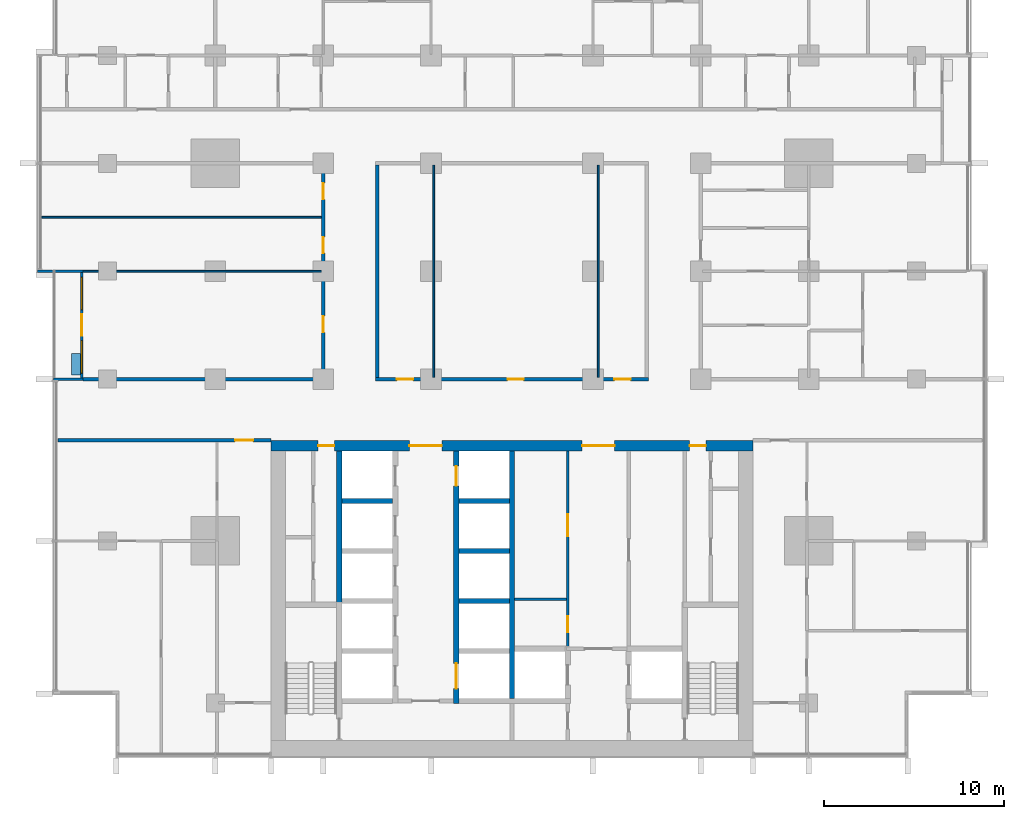
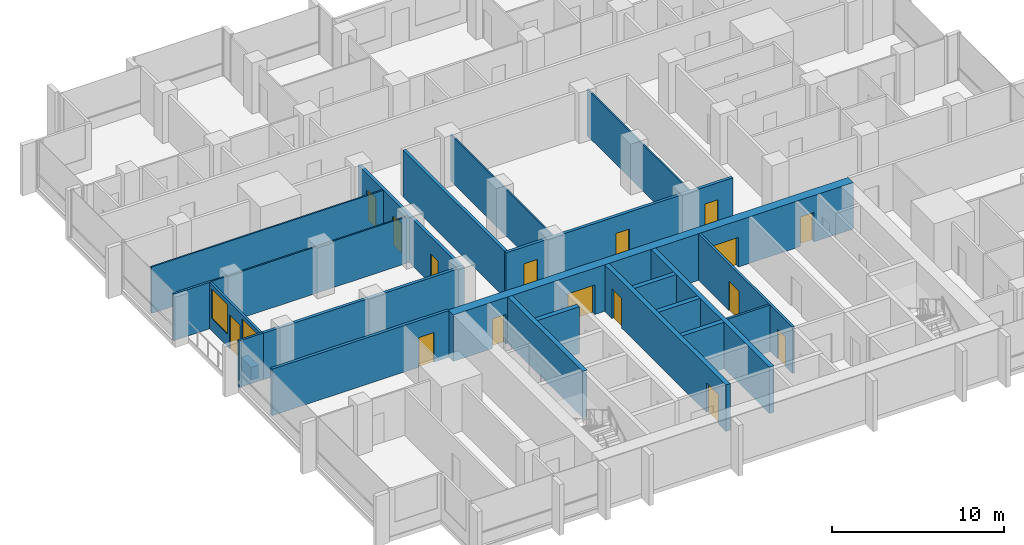
# One storey, part 8 of 17: 23 walls, 16 doors, 2 windows, 18 openings.
"""IFC4 building model written with IfcOpenShell, lengths in metres."""

from ifc_helpers import new_model, si_unit, direction, frame, frame_2d, origin, place, context, subcontext, project, spatial, rectangle, extrude, material, layer, layer_set, type_object, element, fill, save


model = new_model("IFC4")

# Units and contexts
model_context = context("Model", 3, precision=1e-05, world=origin(), true_north=direction((0.0, 1.0)))
body_context = subcontext(model_context, "Body", "Model", "MODEL_VIEW")
ifc_project = project(units=[si_unit("LENGTHUNIT", "METRE"), si_unit("AREAUNIT", "SQUARE_METRE"), si_unit("VOLUMEUNIT", "CUBIC_METRE"), si_unit("PLANEANGLEUNIT", "RADIAN"), si_unit("MASSUNIT", "GRAM", prefix="KILO")], contexts=[model_context])

# Site, building, storey
site_placement = place(None, origin())
site = spatial("IfcSite", under=ifc_project, at=site_placement, CompositionType="ELEMENT")
building_placement = place(site_placement, origin())
building = spatial("IfcBuilding", under=site, at=building_placement, Name="Finial Court Residences", CompositionType="ELEMENT")
storey_placement = place(building_placement, frame((0.0, 0.0, 91.89990234375)))
storey = spatial("IfcBuildingStorey", under=building, at=storey_placement, Name="L22", CompositionType="ELEMENT", Elevation=91.89990234375)

# Wall, openings, doors
ifc_material_1 = material(Name="Concrete C70/85", Category="concrete")
ifc_layer_1 = layer(ifc_material_1, 0.60009765625)
ifc_layer_set_1 = layer_set([ifc_layer_1], Name="Core outer wall 600 Concrete C70/85")
wall_type_1 = type_object("IfcWallType", Name="Core outer wall 600 Concrete C70/85", PredefinedType="SHEAR", material=ifc_layer_set_1)
wall_1_placement = place(storey_placement, frame((-13.39990234375, -8.199951171875, 0.0), z_axis=(0.0, 0.0, 1.0), x_axis=(1.0, 0.0, 0.0)))
wall_1 = element("IfcWall", 1, at=wall_1_placement, inside=storey, type_object=wall_type_1, Name="Core outer wall L22-02", PredefinedType="SHEAR", context=body_context, shape_type="SweptSolid", body=[
    extrude(rectangle(XDim=26.7998046875, YDim=0.60009765625, at=frame_2d((13.39990234375, 0.0))), origin(), (0.0, 0.0, 1.0), 3.300048828125),
])
opening_1_placement = place(wall_1_placement, frame((7.699951171875, 0.0, 0.0)))
opening_1 = element("IfcOpeningElement", 2, at=opening_1_placement, cuts=wall_1, Name="Opening L22-C04", PredefinedType="OPENING", context=body_context, shape_type="SweptSolid", body=[
    extrude(rectangle(XDim=1.800048828125, YDim=2.10009765625, at=frame_2d((0.89990234375, 1.050048828125))), frame((0.0, 0.31005859375, 0.0), z_axis=(0.0, -1.0, 0.0), x_axis=(1.0, 0.0, 0.0)), (0.0, 0.0, 1.0), 0.6201171875),
])
opening_2_placement = place(wall_1_placement, frame((17.300048828125, 0.0, 0.0)))
opening_2 = element("IfcOpeningElement", 3, at=opening_2_placement, cuts=wall_1, Name="Opening L22-C05", PredefinedType="OPENING", context=body_context, shape_type="SweptSolid", body=[
    extrude(rectangle(XDim=1.800048828125, YDim=2.10009765625, at=frame_2d((0.89990234375, 1.050048828125))), frame((0.0, 0.31005859375, 0.0), z_axis=(0.0, -1.0, 0.0), x_axis=(1.0, 0.0, 0.0)), (0.0, 0.0, 1.0), 0.6201171875),
])
opening_3_placement = place(wall_1_placement, frame((2.625, 0.0, 0.0)))
opening_3 = element("IfcOpeningElement", 4, at=opening_3_placement, cuts=wall_1, Name="Opening L22-C10", PredefinedType="OPENING", context=body_context, shape_type="SweptSolid", body=[
    extrude(rectangle(XDim=0.89990234375, YDim=2.10009765625, at=frame_2d((0.449951171875, 1.050048828125))), frame((0.0, 0.31005859375, 0.0), z_axis=(0.0, -1.0, 0.0), x_axis=(1.0, 0.0, 0.0)), (0.0, 0.0, 1.0), 0.6201171875),
])
opening_4_placement = place(wall_1_placement, frame((23.27490234375, 0.0, 0.0)))
opening_4 = element("IfcOpeningElement", 5, at=opening_4_placement, cuts=wall_1, Name="Opening L22-C11", PredefinedType="OPENING", context=body_context, shape_type="SweptSolid", body=[
    extrude(rectangle(XDim=0.89990234375, YDim=2.10009765625, at=frame_2d((0.449951171875, 1.050048828125))), frame((0.0, 0.31005859375, 0.0), z_axis=(0.0, -1.0, 0.0), x_axis=(1.0, 0.0, 0.0)), (0.0, 0.0, 1.0), 0.6201171875),
])
ifc_material_2 = material(Name="Steel fire door", Category="steel")
door_type_1 = type_object("IfcDoorType", Name="Lift lobby door 1800 x 2100 EI 60", OperationType="DOUBLE_DOOR_SINGLE_SWING", PredefinedType="DOOR", material=ifc_material_2)
door_1_placement = place(opening_1_placement, origin())
door_1 = element("IfcDoor", 6, at=door_1_placement, inside=storey, type_object=door_type_1, Name="Lift lobby door L22-C04", OperationType="DOUBLE_DOOR_SINGLE_SWING", OverallHeight=2.10009765625, OverallWidth=1.800048828125, PredefinedType="DOOR", context=body_context, shape_type="SweptSolid", body=[
    extrude(rectangle(XDim=1.800048828125, YDim=2.10009765625, at=frame_2d((0.89990234375, 1.050048828125))), frame((0.0, 0.02490234375, 0.0), z_axis=(0.0, -1.0, 0.0), x_axis=(1.0, 0.0, 0.0)), (0.0, 0.0, 1.0), 0.050048828125),
])
fill(opening_1, door_1)
door_2_placement = place(opening_2_placement, origin())
door_2 = element("IfcDoor", 7, at=door_2_placement, inside=storey, type_object=door_type_1, Name="Lift lobby door L22-C05", OperationType="DOUBLE_DOOR_SINGLE_SWING", OverallHeight=2.10009765625, OverallWidth=1.800048828125, PredefinedType="DOOR", context=body_context, shape_type="SweptSolid", body=[
    extrude(rectangle(XDim=1.800048828125, YDim=2.10009765625, at=frame_2d((0.89990234375, 1.050048828125))), frame((0.0, 0.02490234375, 0.0), z_axis=(0.0, -1.0, 0.0), x_axis=(1.0, 0.0, 0.0)), (0.0, 0.0, 1.0), 0.050048828125),
])
fill(opening_2, door_2)
door_type_2 = type_object("IfcDoorType", Name="Riser room door 900 x 2100 EI 90", OperationType="NOTDEFINED", PredefinedType="DOOR", material=ifc_material_2)
door_3_placement = place(opening_3_placement, origin())
door_3 = element("IfcDoor", 8, at=door_3_placement, inside=storey, type_object=door_type_2, Name="Riser room door L22-C10", OperationType="SINGLE_SWING_RIGHT", OverallHeight=2.10009765625, OverallWidth=0.89990234375, PredefinedType="DOOR", context=body_context, shape_type="SweptSolid", body=[
    extrude(rectangle(XDim=0.89990234375, YDim=2.10009765625, at=frame_2d((0.449951171875, 1.050048828125))), frame((0.0, 0.02490234375, 0.0), z_axis=(0.0, -1.0, 0.0), x_axis=(1.0, 0.0, 0.0)), (0.0, 0.0, 1.0), 0.050048828125),
])
fill(opening_3, door_3)
door_4_placement = place(opening_4_placement, origin())
door_4 = element("IfcDoor", 9, at=door_4_placement, inside=storey, type_object=door_type_2, Name="Riser room door L22-C11", OperationType="SINGLE_SWING_LEFT", OverallHeight=2.10009765625, OverallWidth=0.89990234375, PredefinedType="DOOR", context=body_context, shape_type="SweptSolid", body=[
    extrude(rectangle(XDim=0.89990234375, YDim=2.10009765625, at=frame_2d((0.449951171875, 1.050048828125))), frame((0.0, 0.02490234375, 0.0), z_axis=(0.0, -1.0, 0.0), x_axis=(1.0, 0.0, 0.0)), (0.0, 0.0, 1.0), 0.050048828125),
])
fill(opening_4, door_4)

# Wall
ifc_material_3 = material(Name="Fire-rated gypsum board partition")
ifc_layer_2 = layer(ifc_material_3, 0.14990234375)
ifc_layer_set_2 = layer_set([ifc_layer_2], Name="Core room partition 150 EI 60")
wall_type_2 = type_object("IfcWallType", Name="Core room partition 150 EI 60", PredefinedType="PARTITIONING", material=ifc_layer_set_2)
wall_2_placement = place(storey_placement, frame((0.14990234375, -16.75, 0.0), z_axis=(0.0, 0.0, 1.0), x_axis=(1.0, 0.0, 0.0)))
element("IfcWall", 10, at=wall_2_placement, inside=storey, type_object=wall_type_2, Name="Core partition L22-14", PredefinedType="PARTITIONING", context=body_context, shape_type="SweptSolid", body=[
    extrude(rectangle(XDim=2.875, YDim=0.14990234375, at=frame_2d((1.4375, 0.0))), origin(), (0.0, 0.0, 1.0), 3.300048828125),
])

# Wall, openings, doors
wall_3_placement = place(storey_placement, frame((3.10009765625, -19.39990234375, 0.0), z_axis=(0.0, 0.0, 1.0), x_axis=(0.0, 1.0, 0.0)))
wall_3 = element("IfcWall", 11, at=wall_3_placement, inside=storey, type_object=wall_type_2, Name="Core partition L22-31", PredefinedType="PARTITIONING", context=body_context, shape_type="SweptSolid", body=[
    extrude(rectangle(XDim=10.89990234375, YDim=0.14990234375, at=frame_2d((5.449951171875, 0.0))), origin(), (0.0, 0.0, 1.0), 3.300048828125),
])
opening_5_placement = place(wall_3_placement, frame((0.824951171875, 0.0, 0.0)))
opening_5 = element("IfcOpeningElement", 12, at=opening_5_placement, cuts=wall_3, Name="Opening L22-C14", PredefinedType="OPENING", context=body_context, shape_type="SweptSolid", body=[
    extrude(rectangle(XDim=0.89990234375, YDim=2.10009765625, at=frame_2d((0.449951171875, 1.050048828125))), frame((0.0, 0.0849609375, 0.0), z_axis=(0.0, -1.0, 0.0), x_axis=(1.0, 0.0, 0.0)), (0.0, 0.0, 1.0), 0.169921875),
])
opening_6_placement = place(wall_3_placement, frame((6.175048828125, 0.0, 0.0)))
opening_6 = element("IfcOpeningElement", 13, at=opening_6_placement, cuts=wall_3, Name="Opening L22-C15", PredefinedType="OPENING", context=body_context, shape_type="SweptSolid", body=[
    extrude(rectangle(XDim=1.199951171875, YDim=2.10009765625, at=frame_2d((0.60009765625, 1.050048828125))), frame((0.0, 0.0849609375, 0.0), z_axis=(0.0, -1.0, 0.0), x_axis=(1.0, 0.0, 0.0)), (0.0, 0.0, 1.0), 0.169921875),
])
door_type_3 = type_object("IfcDoorType", Name="Core room door 1200 x 2100 EI 60", OperationType="NOTDEFINED", PredefinedType="DOOR", material=ifc_material_2)
door_5_placement = place(opening_6_placement, origin())
door_5 = element("IfcDoor", 14, at=door_5_placement, inside=storey, type_object=door_type_3, Name="Core room door L22-C15", OperationType="SINGLE_SWING_LEFT", OverallHeight=2.10009765625, OverallWidth=1.199951171875, PredefinedType="DOOR", context=body_context, shape_type="SweptSolid", body=[
    extrude(rectangle(XDim=1.199951171875, YDim=2.10009765625, at=frame_2d((0.60009765625, 1.050048828125))), frame((0.0, 0.02490234375, 0.0), z_axis=(0.0, -1.0, 0.0), x_axis=(1.0, 0.0, 0.0)), (0.0, 0.0, 1.0), 0.050048828125),
])
fill(opening_6, door_5)
door_type_4 = type_object("IfcDoorType", Name="Core room door 900 x 2100 EI 60", OperationType="NOTDEFINED", PredefinedType="DOOR", material=ifc_material_2)
door_6_placement = place(opening_5_placement, origin())
door_6 = element("IfcDoor", 15, at=door_6_placement, inside=storey, type_object=door_type_4, Name="Core room door L22-C14", OperationType="SINGLE_SWING_LEFT", OverallHeight=2.10009765625, OverallWidth=0.89990234375, PredefinedType="DOOR", context=body_context, shape_type="SweptSolid", body=[
    extrude(rectangle(XDim=0.89990234375, YDim=2.10009765625, at=frame_2d((0.449951171875, 1.050048828125))), frame((0.0, 0.02490234375, 0.0), z_axis=(0.0, -1.0, 0.0), x_axis=(1.0, 0.0, 0.0)), (0.0, 0.0, 1.0), 0.050048828125),
])
fill(opening_5, door_6)

# Wall, opening, door
ifc_material_4 = material(Name="Gypsum board")
ifc_layer_3 = layer(ifc_material_4, 0.02490234375)
ifc_material_5 = material(Name="Acoustic mineral wool in double frame")
ifc_layer_4 = layer(ifc_material_5, 0.14990234375)
ifc_layer_5 = layer(ifc_material_4, 0.02490234375)
ifc_layer_set_3 = layer_set([ifc_layer_3, ifc_layer_4, ifc_layer_5], Name="Corridor wall 200, 1 hour")
wall_type_3 = type_object("IfcWallType", Name="Corridor wall 200, 1 hour", PredefinedType="PARTITIONING", material=ifc_layer_set_3)
wall_4_placement = place(storey_placement, frame((-25.25, -7.89990234375, 0.0), z_axis=(0.0, 0.0, 1.0), x_axis=(1.0, 0.0, 0.0)))
wall_4 = element("IfcWall", 16, at=wall_4_placement, inside=storey, type_object=wall_type_3, Name="Partition L22-008", PredefinedType="PARTITIONING", context=body_context, shape_type="SweptSolid", body=[
    extrude(rectangle(XDim=11.85009765625, YDim=0.199951171875, at=frame_2d((5.925048828125, 0.0))), origin(), (0.0, 0.0, 1.0), 3.300048828125),
])
opening_7_placement = place(wall_4_placement, frame((9.85009765625, 0.0, 0.0)))
opening_7 = element("IfcOpeningElement", 17, at=opening_7_placement, cuts=wall_4, Name="Opening L22-D005", PredefinedType="OPENING", context=body_context, shape_type="SweptSolid", body=[
    extrude(rectangle(XDim=1.0, YDim=2.10009765625, at=frame_2d((0.5, 1.050048828125))), frame((0.0, 0.10986328125, 0.0), z_axis=(0.0, -1.0, 0.0), x_axis=(1.0, 0.0, 0.0)), (0.0, 0.0, 1.0), 0.219970703125),
])
ifc_material_6 = material(Name="Timber door leaf in hollow metal frame", Category="wood")
door_type_5 = type_object("IfcDoorType", Name="Fire door set 1000 x 2100, 30 minutes", OperationType="SINGLE_SWING_LEFT", PredefinedType="DOOR", material=ifc_material_6)
door_7_placement = place(opening_7_placement, origin())
door_7 = element("IfcDoor", 18, at=door_7_placement, inside=storey, type_object=door_type_5, Name="Door L22-D005", OperationType="SINGLE_SWING_RIGHT", OverallHeight=2.10009765625, OverallWidth=1.0, PredefinedType="DOOR", context=body_context, shape_type="SweptSolid", body=[
    extrude(rectangle(XDim=1.0, YDim=2.10009765625, at=frame_2d((0.5, 1.050048828125))), frame((0.0, 0.02490234375, 0.0), z_axis=(0.0, -1.0, 0.0), x_axis=(1.0, 0.0, 0.0)), (0.0, 0.0, 1.0), 0.050048828125),
])
fill(opening_7, door_7)

# Wall
wall_5_placement = place(storey_placement, frame((-23.85009765625, -4.5, 0.0), z_axis=(0.0, 0.0, 1.0), x_axis=(1.0, 0.0, 0.0)))
element("IfcWall", 19, at=wall_5_placement, inside=storey, type_object=wall_type_3, Name="Partition L22-010", PredefinedType="PARTITIONING", context=body_context, shape_type="SweptSolid", body=[
    extrude(rectangle(XDim=13.4501953125, YDim=0.199951171875, at=frame_2d((6.72509765625, 0.0))), origin(), (0.0, 0.0, 1.0), 3.300048828125),
])

# Wall, openings, doors
wall_6_placement = place(storey_placement, frame((-7.60009765625, -4.5, 0.0), z_axis=(0.0, 0.0, 1.0), x_axis=(1.0, 0.0, 0.0)))
wall_6 = element("IfcWall", 20, at=wall_6_placement, inside=storey, type_object=wall_type_3, Name="Partition L22-011", PredefinedType="PARTITIONING", context=body_context, shape_type="SweptSolid", body=[
    extrude(rectangle(XDim=15.2001953125, YDim=0.199951171875, at=frame_2d((7.60009765625, 0.0))), origin(), (0.0, 0.0, 1.0), 3.300048828125),
])
opening_8_placement = place(wall_6_placement, frame((1.199951171875, 0.0, 0.0)))
opening_8 = element("IfcOpeningElement", 21, at=opening_8_placement, cuts=wall_6, Name="Opening L22-D007", PredefinedType="OPENING", context=body_context, shape_type="SweptSolid", body=[
    extrude(rectangle(XDim=0.89990234375, YDim=2.10009765625, at=frame_2d((0.449951171875, 1.050048828125))), frame((0.0, 0.10986328125, 0.0), z_axis=(0.0, -1.0, 0.0), x_axis=(1.0, 0.0, 0.0)), (0.0, 0.0, 1.0), 0.219970703125),
])
opening_9_placement = place(wall_6_placement, frame((7.35009765625, 0.0, 0.0)))
opening_9 = element("IfcOpeningElement", 22, at=opening_9_placement, cuts=wall_6, Name="Opening L22-D008", PredefinedType="OPENING", context=body_context, shape_type="SweptSolid", body=[
    extrude(rectangle(XDim=0.89990234375, YDim=2.10009765625, at=frame_2d((0.449951171875, 1.050048828125))), frame((0.0, 0.10986328125, 0.0), z_axis=(0.0, -1.0, 0.0), x_axis=(1.0, 0.0, 0.0)), (0.0, 0.0, 1.0), 0.219970703125),
])
opening_10_placement = place(wall_6_placement, frame((13.300048828125, 0.0, 0.0)))
opening_10 = element("IfcOpeningElement", 23, at=opening_10_placement, cuts=wall_6, Name="Opening L22-D009", PredefinedType="OPENING", context=body_context, shape_type="SweptSolid", body=[
    extrude(rectangle(XDim=0.89990234375, YDim=2.10009765625, at=frame_2d((0.449951171875, 1.050048828125))), frame((0.0, 0.10986328125, 0.0), z_axis=(0.0, -1.0, 0.0), x_axis=(1.0, 0.0, 0.0)), (0.0, 0.0, 1.0), 0.219970703125),
])
door_type_6 = type_object("IfcDoorType", Name="Fire door set 900 x 2100, 30 minutes", OperationType="SINGLE_SWING_LEFT", PredefinedType="DOOR", material=ifc_material_6)
door_8_placement = place(opening_8_placement, origin())
door_8 = element("IfcDoor", 24, at=door_8_placement, inside=storey, type_object=door_type_6, Name="Door L22-D007", OperationType="SINGLE_SWING_RIGHT", OverallHeight=2.10009765625, OverallWidth=0.89990234375, PredefinedType="DOOR", context=body_context, shape_type="SweptSolid", body=[
    extrude(rectangle(XDim=0.89990234375, YDim=2.10009765625, at=frame_2d((0.449951171875, 1.050048828125))), frame((0.0, 0.02490234375, 0.0), z_axis=(0.0, -1.0, 0.0), x_axis=(1.0, 0.0, 0.0)), (0.0, 0.0, 1.0), 0.050048828125),
])
fill(opening_8, door_8)
door_9_placement = place(opening_9_placement, origin())
door_9 = element("IfcDoor", 25, at=door_9_placement, inside=storey, type_object=door_type_6, Name="Door L22-D008", OperationType="SINGLE_SWING_LEFT", OverallHeight=2.10009765625, OverallWidth=0.89990234375, PredefinedType="DOOR", context=body_context, shape_type="SweptSolid", body=[
    extrude(rectangle(XDim=0.89990234375, YDim=2.10009765625, at=frame_2d((0.449951171875, 1.050048828125))), frame((0.0, 0.02490234375, 0.0), z_axis=(0.0, -1.0, 0.0), x_axis=(1.0, 0.0, 0.0)), (0.0, 0.0, 1.0), 0.050048828125),
])
fill(opening_9, door_9)
door_10_placement = place(opening_10_placement, origin())
door_10 = element("IfcDoor", 26, at=door_10_placement, inside=storey, type_object=door_type_6, Name="Door L22-D009", OperationType="SINGLE_SWING_LEFT", OverallHeight=2.10009765625, OverallWidth=0.89990234375, PredefinedType="DOOR", context=body_context, shape_type="SweptSolid", body=[
    extrude(rectangle(XDim=0.89990234375, YDim=2.10009765625, at=frame_2d((0.449951171875, 1.050048828125))), frame((0.0, 0.02490234375, 0.0), z_axis=(0.0, -1.0, 0.0), x_axis=(1.0, 0.0, 0.0)), (0.0, 0.0, 1.0), 0.050048828125),
])
fill(opening_10, door_10)

wall_7_placement = place(storey_placement, frame((-10.5, -4.39990234375, 0.0), z_axis=(0.0, 0.0, 1.0), x_axis=(0.0, 1.0, 0.0)))
wall_7 = element("IfcWall", 27, at=wall_7_placement, inside=storey, type_object=wall_type_3, Name="Partition L22-050", PredefinedType="PARTITIONING", context=body_context, shape_type="SweptSolid", body=[
    extrude(rectangle(XDim=11.7998046875, YDim=0.199951171875, at=frame_2d((5.89990234375, 0.0))), origin(), (0.0, 0.0, 1.0), 3.300048828125),
])
opening_11_placement = place(wall_7_placement, frame((2.5, 0.0, 0.0)))
opening_11 = element("IfcOpeningElement", 28, at=opening_11_placement, cuts=wall_7, Name="Opening L22-D034", PredefinedType="OPENING", context=body_context, shape_type="SweptSolid", body=[
    extrude(rectangle(XDim=0.89990234375, YDim=2.10009765625, at=frame_2d((0.449951171875, 1.050048828125))), frame((0.0, 0.10986328125, 0.0), z_axis=(0.0, -1.0, 0.0), x_axis=(1.0, 0.0, 0.0)), (0.0, 0.0, 1.0), 0.219970703125),
])
opening_12_placement = place(wall_7_placement, frame((6.89990234375, 0.0, 0.0)))
opening_12 = element("IfcOpeningElement", 29, at=opening_12_placement, cuts=wall_7, Name="Opening L22-D035", PredefinedType="OPENING", context=body_context, shape_type="SweptSolid", body=[
    extrude(rectangle(XDim=0.89990234375, YDim=2.10009765625, at=frame_2d((0.449951171875, 1.050048828125))), frame((0.0, 0.10986328125, 0.0), z_axis=(0.0, -1.0, 0.0), x_axis=(1.0, 0.0, 0.0)), (0.0, 0.0, 1.0), 0.219970703125),
])
opening_13_placement = place(wall_7_placement, frame((9.89990234375, 0.0, 0.0)))
opening_13 = element("IfcOpeningElement", 30, at=opening_13_placement, cuts=wall_7, Name="Opening L22-D036", PredefinedType="OPENING", context=body_context, shape_type="SweptSolid", body=[
    extrude(rectangle(XDim=0.89990234375, YDim=2.10009765625, at=frame_2d((0.449951171875, 1.050048828125))), frame((0.0, 0.10986328125, 0.0), z_axis=(0.0, -1.0, 0.0), x_axis=(1.0, 0.0, 0.0)), (0.0, 0.0, 1.0), 0.219970703125),
])
door_11_placement = place(opening_11_placement, origin())
door_11 = element("IfcDoor", 31, at=door_11_placement, inside=storey, type_object=door_type_6, Name="Door L22-D034", OperationType="SINGLE_SWING_RIGHT", OverallHeight=2.10009765625, OverallWidth=0.89990234375, PredefinedType="DOOR", context=body_context, shape_type="SweptSolid", body=[
    extrude(rectangle(XDim=0.89990234375, YDim=2.10009765625, at=frame_2d((0.449951171875, 1.050048828125))), frame((0.0, 0.02490234375, 0.0), z_axis=(0.0, -1.0, 0.0), x_axis=(1.0, 0.0, 0.0)), (0.0, 0.0, 1.0), 0.050048828125),
])
fill(opening_11, door_11)
door_12_placement = place(opening_12_placement, origin())
door_12 = element("IfcDoor", 32, at=door_12_placement, inside=storey, type_object=door_type_6, Name="Door L22-D035", OperationType="SINGLE_SWING_LEFT", OverallHeight=2.10009765625, OverallWidth=0.89990234375, PredefinedType="DOOR", context=body_context, shape_type="SweptSolid", body=[
    extrude(rectangle(XDim=0.89990234375, YDim=2.10009765625, at=frame_2d((0.449951171875, 1.050048828125))), frame((0.0, 0.02490234375, 0.0), z_axis=(0.0, -1.0, 0.0), x_axis=(1.0, 0.0, 0.0)), (0.0, 0.0, 1.0), 0.050048828125),
])
fill(opening_12, door_12)
door_13_placement = place(opening_13_placement, origin())
door_13 = element("IfcDoor", 33, at=door_13_placement, inside=storey, type_object=door_type_6, Name="Door L22-D036", OperationType="SINGLE_SWING_LEFT", OverallHeight=2.10009765625, OverallWidth=0.89990234375, PredefinedType="DOOR", context=body_context, shape_type="SweptSolid", body=[
    extrude(rectangle(XDim=0.89990234375, YDim=2.10009765625, at=frame_2d((0.449951171875, 1.050048828125))), frame((0.0, 0.02490234375, 0.0), z_axis=(0.0, -1.0, 0.0), x_axis=(1.0, 0.0, 0.0)), (0.0, 0.0, 1.0), 0.050048828125),
])
fill(opening_13, door_13)

# Walls
wall_8_placement = place(storey_placement, frame((-7.5, -4.39990234375, 0.0), z_axis=(0.0, 0.0, 1.0), x_axis=(0.0, 1.0, 0.0)))
element("IfcWall", 34, at=wall_8_placement, inside=storey, type_object=wall_type_3, Name="Partition L22-052", PredefinedType="PARTITIONING", context=body_context, shape_type="SweptSolid", body=[
    extrude(rectangle(XDim=11.7998046875, YDim=0.199951171875, at=frame_2d((5.89990234375, 0.0))), origin(), (0.0, 0.0, 1.0), 3.300048828125),
])
ifc_layer_6 = layer(ifc_material_4, 0.012451171875)
ifc_material_7 = material(Name="Mineral wool in light-gauge frame")
ifc_layer_7 = layer(ifc_material_7, 0.074951171875)
ifc_layer_8 = layer(ifc_material_4, 0.012451171875)
ifc_layer_set_4 = layer_set([ifc_layer_6, ifc_layer_7, ifc_layer_8], Name="Gypsum board partition 100")
wall_type_4 = type_object("IfcWallType", Name="Gypsum board partition 100", PredefinedType="PARTITIONING", material=ifc_layer_set_4)
wall_9_placement = place(storey_placement, frame((-23.85009765625, 1.5, 0.0), z_axis=(0.0, 0.0, 1.0), x_axis=(1.0, 0.0, 0.0)))
element("IfcWall", 35, at=wall_9_placement, inside=storey, type_object=wall_type_4, Name="Partition L22-015", PredefinedType="PARTITIONING", context=body_context, shape_type="SweptSolid", body=[
    extrude(rectangle(XDim=13.25, YDim=0.10009765625, at=frame_2d((6.625, 0.0))), origin(), (0.0, 0.0, 1.0), 3.300048828125),
])
wall_10_placement = place(storey_placement, frame((-26.14990234375, 4.5, 0.0), z_axis=(0.0, 0.0, 1.0), x_axis=(1.0, 0.0, 0.0)))
element("IfcWall", 36, at=wall_10_placement, inside=storey, type_object=wall_type_4, Name="Partition L22-019", PredefinedType="PARTITIONING", context=body_context, shape_type="SweptSolid", body=[
    extrude(rectangle(XDim=15.5498046875, YDim=0.10009765625, at=frame_2d((7.77490234375, 0.0))), origin(), (0.0, 0.0, 1.0), 3.300048828125),
])
for number, where, z_axis, x_axis, name in (
    (37, (-4.35009765625, -4.39990234375, 0.0), (0.0, 0.0, 1.0), (0.0, 1.0, 0.0), "Partition L22-054"),
    (38, (4.800048828125, -4.39990234375, 0.0), (0.0, 0.0, 1.0), (0.0, 1.0, 0.0), "Partition L22-058"),
):
    element("IfcWall", number, at=place(storey_placement, frame(where, z_axis=z_axis, x_axis=x_axis)), inside=storey, type_object=wall_type_4, Name=name, PredefinedType="PARTITIONING", context=body_context, shape_type="SweptSolid", body=[
        extrude(rectangle(XDim=11.7998046875, YDim=0.10009765625, at=frame_2d((5.89990234375, 0.0))), origin(), (0.0, 0.0, 1.0), 3.300048828125),
    ])
ifc_layer_9 = layer(ifc_material_1, 0.300048828125)
ifc_layer_set_5 = layer_set([ifc_layer_9], Name="Lift shaft and stair wall 300 Concrete C70/85")
wall_type_5 = type_object("IfcWallType", Name="Lift shaft and stair wall 300 Concrete C70/85", PredefinedType="SHEAR", material=ifc_layer_set_5)
for number, where, z_axis, x_axis, name in (
    (39, (-2.949951171875, -16.840087890625, 0.0), (0.0, 0.0, 1.0), (1.0, 0.0, 0.0), "Core wall L22-13"),
    (40, (-2.949951171875, -14.06005859375, 0.0), (0.0, 0.0, 1.0), (1.0, 0.0, 0.0), "Core wall L22-16"),
    (41, (-9.449951171875, -11.280029296875, 0.0), (0.0, 0.0, 1.0), (1.0, 0.0, 0.0), "Core wall L22-18"),
    (42, (-2.949951171875, -11.280029296875, 0.0), (0.0, 0.0, 1.0), (1.0, 0.0, 0.0), "Core wall L22-19"),
):
    element("IfcWall", number, at=place(storey_placement, frame(where, z_axis=z_axis, x_axis=x_axis)), inside=storey, type_object=wall_type_5, Name=name, PredefinedType="SHEAR", context=body_context, shape_type="SweptSolid", body=[
        extrude(rectangle(XDim=2.800048828125, YDim=0.300048828125, at=frame_2d((1.39990234375, 0.0))), origin(), (0.0, 0.0, 1.0), 3.300048828125),
    ])
wall_11_placement = place(storey_placement, frame((-9.60009765625, -17.199951171875, 0.0), z_axis=(0.0, 0.0, 1.0), x_axis=(0.0, 1.0, 0.0)))
element("IfcWall", 43, at=wall_11_placement, inside=storey, type_object=wall_type_5, Name="Core wall L22-24", PredefinedType="SHEAR", context=body_context, shape_type="SweptSolid", body=[
    extrude(rectangle(XDim=8.699951171875, YDim=0.300048828125, at=frame_2d((4.35009765625, 0.0))), origin(), (0.0, 0.0, 1.0), 3.300048828125),
])

# Wall, openings, doors
wall_12_placement = place(storey_placement, frame((-3.10009765625, -22.550048828125, 0.0), z_axis=(0.0, 0.0, 1.0), x_axis=(0.0, 1.0, 0.0)))
wall_12 = element("IfcWall", 44, at=wall_12_placement, inside=storey, type_object=wall_type_5, Name="Core wall L22-26", PredefinedType="SHEAR", context=body_context, shape_type="SweptSolid", body=[
    extrude(rectangle(XDim=14.050048828125, YDim=0.300048828125, at=frame_2d((7.02490234375, 0.0))), origin(), (0.0, 0.0, 1.0), 3.300048828125),
])
opening_14_placement = place(wall_12_placement, frame((12.110107421875, 0.0, 0.0)))
opening_14 = element("IfcOpeningElement", 45, at=opening_14_placement, cuts=wall_12, Name="Opening L22-LD08", PredefinedType="OPENING", context=body_context, shape_type="SweptSolid", body=[
    extrude(rectangle(XDim=1.10009765625, YDim=2.10009765625, at=frame_2d((0.550048828125, 1.050048828125))), frame((0.0, 0.159912109375, 0.0), z_axis=(0.0, -1.0, 0.0), x_axis=(1.0, 0.0, 0.0)), (0.0, 0.0, 1.0), 0.320068359375),
])
opening_15_placement = place(wall_12_placement, frame((0.840087890625, 0.0, 0.0)))
opening_15 = element("IfcOpeningElement", 46, at=opening_15_placement, cuts=wall_12, Name="Opening L22-LD09", PredefinedType="OPENING", context=body_context, shape_type="SweptSolid", body=[
    extrude(rectangle(XDim=1.39990234375, YDim=2.10009765625, at=frame_2d((0.699951171875, 1.050048828125))), frame((0.0, 0.159912109375, 0.0), z_axis=(0.0, -1.0, 0.0), x_axis=(1.0, 0.0, 0.0)), (0.0, 0.0, 1.0), 0.320068359375),
])
ifc_material_8 = material(Name="Stainless steel lift door", Category="steel")
door_type_7 = type_object("IfcDoorType", Name="Lift landing door 1100 x 2100 EI 90", OperationType="DOUBLE_DOOR_SLIDING", PredefinedType="DOOR", material=ifc_material_8)
door_14_placement = place(opening_14_placement, origin())
door_14 = element("IfcDoor", 47, at=door_14_placement, inside=storey, type_object=door_type_7, Name="Lift landing door LR6 L22", OperationType="DOUBLE_DOOR_SLIDING", OverallHeight=2.10009765625, OverallWidth=1.10009765625, PredefinedType="DOOR", context=body_context, shape_type="SweptSolid", body=[
    extrude(rectangle(XDim=1.10009765625, YDim=2.10009765625, at=frame_2d((0.550048828125, 1.050048828125))), frame((0.0, 0.02490234375, 0.0), z_axis=(0.0, -1.0, 0.0), x_axis=(1.0, 0.0, 0.0)), (0.0, 0.0, 1.0), 0.050048828125),
])
fill(opening_14, door_14)
door_type_8 = type_object("IfcDoorType", Name="Lift landing door 1400 x 2100 EI 90", OperationType="DOUBLE_DOOR_SLIDING", PredefinedType="DOOR", material=ifc_material_8)
door_15_placement = place(opening_15_placement, origin())
door_15 = element("IfcDoor", 48, at=door_15_placement, inside=storey, type_object=door_type_8, Name="Lift landing door SV1 L22", OperationType="DOUBLE_DOOR_SLIDING", OverallHeight=2.10009765625, OverallWidth=1.39990234375, PredefinedType="DOOR", context=body_context, shape_type="SweptSolid", body=[
    extrude(rectangle(XDim=1.39990234375, YDim=2.10009765625, at=frame_2d((0.699951171875, 1.050048828125))), frame((0.0, 0.02490234375, 0.0), z_axis=(0.0, -1.0, 0.0), x_axis=(1.0, 0.0, 0.0)), (0.0, 0.0, 1.0), 0.050048828125),
])
fill(opening_15, door_15)

# Walls
wall_13_placement = place(storey_placement, frame((0.0, -22.25, 0.0), z_axis=(0.0, 0.0, 1.0), x_axis=(0.0, 1.0, 0.0)))
element("IfcWall", 49, at=wall_13_placement, inside=storey, type_object=wall_type_5, Name="Core wall L22-28", PredefinedType="SHEAR", context=body_context, shape_type="SweptSolid", body=[
    extrude(rectangle(XDim=13.75, YDim=0.300048828125, at=frame_2d((6.875, 0.0))), origin(), (0.0, 0.0, 1.0), 3.300048828125),
])
ifc_material_9 = material(Name="Natural limestone", Category="masonry")
ifc_layer_10 = layer(ifc_material_9, 0.14990234375)
ifc_layer_set_6 = layer_set([ifc_layer_10], Name="Limestone clad wall 150")
wall_type_6 = type_object("IfcWallType", Name="Limestone clad wall 150", PredefinedType="SOLIDWALL", material=ifc_layer_set_6)
wall_14_placement = place(storey_placement, frame((-23.85009765625, -4.5, 0.0), z_axis=(0.0, 0.0, 1.0), x_axis=(-1.0, 0.0, 0.0)))
element("IfcWall", 50, at=wall_14_placement, inside=storey, type_object=wall_type_6, Name="E-L22-BALW3-P1", PredefinedType="SOLIDWALL", context=body_context, shape_type="SweptSolid", body=[
    extrude(rectangle(XDim=1.64990234375, YDim=0.14990234375, at=frame_2d((0.824951171875, 0.0))), origin(), (0.0, 0.0, 1.0), 3.300048828125),
])
wall_15_placement = place(storey_placement, frame((-23.85009765625, 1.5, 0.0), z_axis=(0.0, 0.0, 1.0), x_axis=(-1.0, 0.0, 0.0)))
element("IfcWall", 51, at=wall_15_placement, inside=storey, type_object=wall_type_6, Name="E-L22-BALW3-P2", PredefinedType="SOLIDWALL", context=body_context, shape_type="SweptSolid", body=[
    extrude(rectangle(XDim=2.5498046875, YDim=0.14990234375, at=frame_2d((1.27490234375, 0.0))), origin(), (0.0, 0.0, 1.0), 3.300048828125),
])

# Wall, openings, door, windows
wall_16_placement = place(storey_placement, frame((-23.925048828125, -4.425048828125, 0.0), z_axis=(0.0, 0.0, 1.0), x_axis=(0.0, 1.0, 0.0)))
wall_16 = element("IfcWall", 52, at=wall_16_placement, inside=storey, type_object=wall_type_6, Name="E-L22-L22-BALW3-W", PredefinedType="SOLIDWALL", context=body_context, shape_type="SweptSolid", body=[
    extrude(rectangle(XDim=5.85009765625, YDim=0.14990234375, at=frame_2d((2.925048828125, 0.0))), origin(), (0.0, 0.0, 1.0), 3.300048828125),
])
opening_16_placement = place(wall_16_placement, frame((2.324951171875, 0.0, 0.0)))
opening_16 = element("IfcOpeningElement", 53, at=opening_16_placement, cuts=wall_16, Name="Opening DE22-03", PredefinedType="OPENING", context=body_context, shape_type="SweptSolid", body=[
    extrude(rectangle(XDim=1.199951171875, YDim=2.39990234375, at=frame_2d((0.60009765625, 1.199951171875))), frame((0.0, 0.0849609375, 0.0), z_axis=(0.0, -1.0, 0.0), x_axis=(1.0, 0.0, 0.0)), (0.0, 0.0, 1.0), 0.169921875),
])
opening_17_placement = place(wall_16_placement, frame((0.262451171875, 0.0, 0.89990234375)))
opening_17 = element("IfcOpeningElement", 54, at=opening_17_placement, cuts=wall_16, Name="Opening WE22-12", PredefinedType="OPENING", context=body_context, shape_type="SweptSolid", body=[
    extrude(rectangle(XDim=1.800048828125, YDim=2.10009765625, at=frame_2d((0.89990234375, 1.050048828125))), frame((0.0, 0.0849609375, 0.0), z_axis=(0.0, -1.0, 0.0), x_axis=(1.0, 0.0, 0.0)), (0.0, 0.0, 1.0), 0.169921875),
])
opening_18_placement = place(wall_16_placement, frame((3.78759765625, 0.0, 0.89990234375)))
opening_18 = element("IfcOpeningElement", 55, at=opening_18_placement, cuts=wall_16, Name="Opening WE22-13", PredefinedType="OPENING", context=body_context, shape_type="SweptSolid", body=[
    extrude(rectangle(XDim=1.800048828125, YDim=2.10009765625, at=frame_2d((0.89990234375, 1.050048828125))), frame((0.0, 0.0849609375, 0.0), z_axis=(0.0, -1.0, 0.0), x_axis=(1.0, 0.0, 0.0)), (0.0, 0.0, 1.0), 0.169921875),
])
ifc_material_10 = material(Name="Bronze anodised aluminium", Category="aluminium")
door_type_9 = type_object("IfcDoorType", Name="Balcony door 1200 x 2400", OperationType="SINGLE_SWING_LEFT", PredefinedType="DOOR", material=ifc_material_10)
door_16_placement = place(opening_16_placement, origin())
door_16 = element("IfcDoor", 56, at=door_16_placement, inside=storey, type_object=door_type_9, Name="E-L22-L22-BALW3-W-D", OperationType="SINGLE_SWING_RIGHT", OverallHeight=2.39990234375, OverallWidth=1.199951171875, PredefinedType="DOOR", context=body_context, shape_type="SweptSolid", body=[
    extrude(rectangle(XDim=1.199951171875, YDim=2.39990234375, at=frame_2d((0.60009765625, 1.199951171875))), frame((0.0, 0.02490234375, 0.0), z_axis=(0.0, -1.0, 0.0), x_axis=(1.0, 0.0, 0.0)), (0.0, 0.0, 1.0), 0.050048828125),
])
fill(opening_16, door_16)
ifc_material_11 = material(Name="Clear low-e glass", Category="glass")
window_type = type_object("IfcWindowType", Name="Balcony window 1800 x 2100", PartitioningType="SINGLE_PANEL", PredefinedType="WINDOW", material=ifc_material_11)
window_1_placement = place(opening_17_placement, origin())
window_1 = element("IfcWindow", 57, at=window_1_placement, inside=storey, type_object=window_type, Name="E-L22-L22-BALW3-W-W1", OverallHeight=2.10009765625, OverallWidth=1.800048828125, PartitioningType="SINGLE_PANEL", PredefinedType="WINDOW", context=body_context, shape_type="SweptSolid", body=[
    extrude(rectangle(XDim=1.800048828125, YDim=2.10009765625, at=frame_2d((0.89990234375, 1.050048828125))), frame((0.0, 0.030029296875, 0.0), z_axis=(0.0, -1.0, 0.0), x_axis=(1.0, 0.0, 0.0)), (0.0, 0.0, 1.0), 0.06005859375),
])
fill(opening_17, window_1)
window_2_placement = place(opening_18_placement, origin())
window_2 = element("IfcWindow", 58, at=window_2_placement, inside=storey, type_object=window_type, Name="E-L22-L22-BALW3-W-W2", OverallHeight=2.10009765625, OverallWidth=1.800048828125, PartitioningType="SINGLE_PANEL", PredefinedType="WINDOW", context=body_context, shape_type="SweptSolid", body=[
    extrude(rectangle(XDim=1.800048828125, YDim=2.10009765625, at=frame_2d((0.89990234375, 1.050048828125))), frame((0.0, 0.030029296875, 0.0), z_axis=(0.0, -1.0, 0.0), x_axis=(1.0, 0.0, 0.0)), (0.0, 0.0, 1.0), 0.06005859375),
])
fill(opening_18, window_2)

# Wall
ifc_material_12 = material(Name="Concrete C40/50", Category="concrete")
ifc_layer_11 = layer(ifc_material_12, 0.10009765625)
ifc_material_13 = material(Name="Planting soil", Category="soil")
ifc_layer_12 = layer(ifc_material_13, 0.300048828125)
ifc_layer_13 = layer(ifc_material_12, 0.10009765625)
ifc_layer_set_7 = layer_set([ifc_layer_11, ifc_layer_12, ifc_layer_13], Name="Planter wall, balcony")
wall_type_7 = type_object("IfcWallType", Name="Planter wall, balcony", PredefinedType="USERDEFINED", material=ifc_layer_set_7)
wall_17_placement = place(storey_placement, frame((-24.25, -4.27490234375, 0.0), z_axis=(0.0, 0.0, 1.0), x_axis=(0.0, 1.0, 0.0)))
element("IfcWall", 59, at=wall_17_placement, inside=storey, type_object=wall_type_7, Name="E-L22-BALW3-PL", ObjectType="PLANTER", PredefinedType="USERDEFINED", context=body_context, shape_type="SweptSolid", body=[
    extrude(rectangle(XDim=1.199951171875, YDim=0.5, at=frame_2d((0.60009765625, 0.0))), origin(), (0.0, 0.0, 1.0), 0.900146484375),
])

save(model, "model.ifc")
